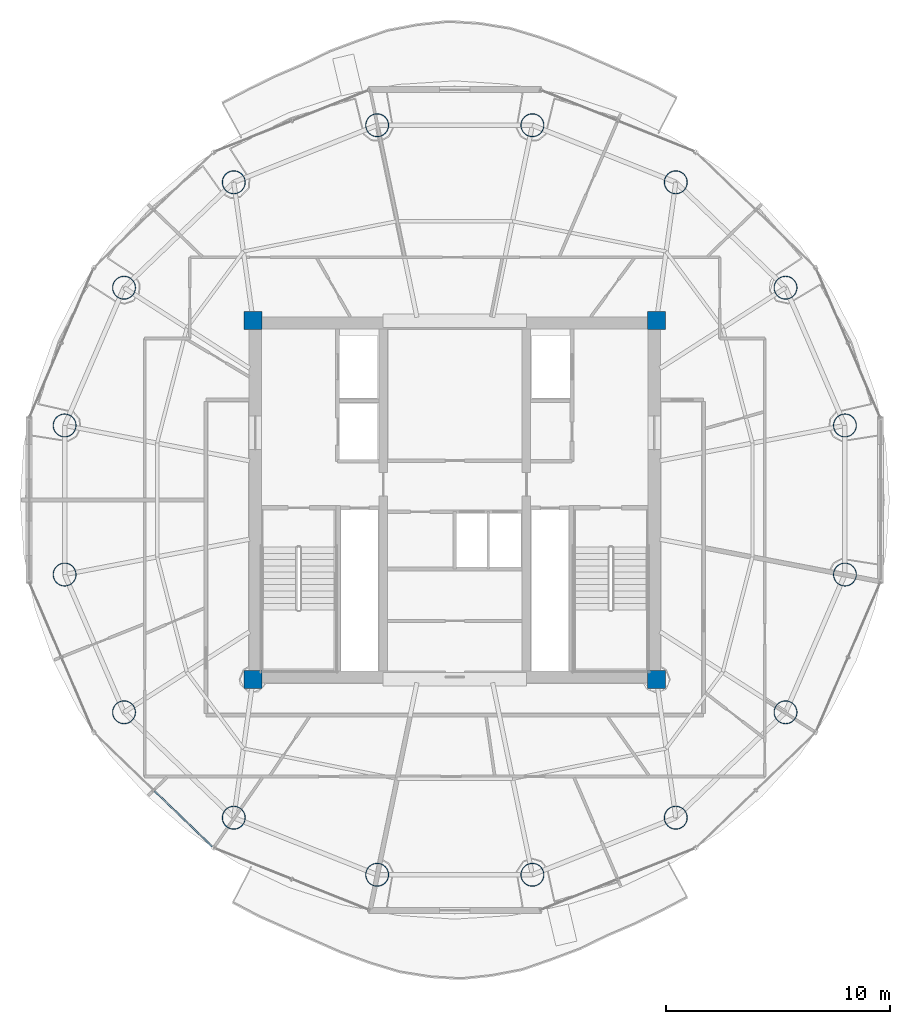
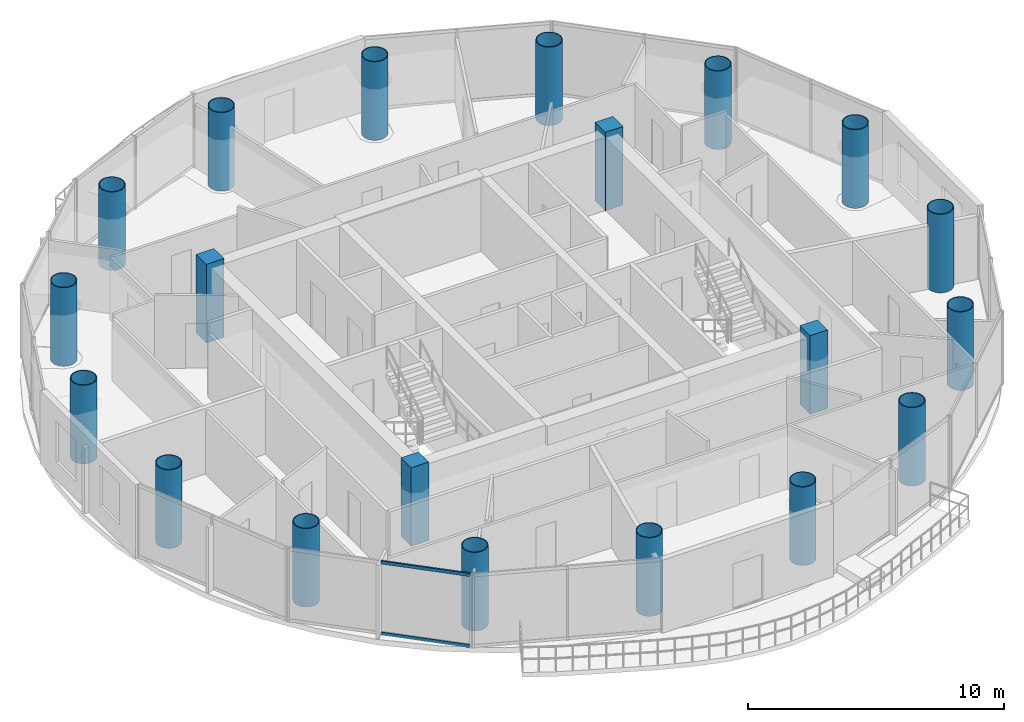
# One storey, part 1 of 23: 20 columns, 2 members, 1 element without a shape of its own.
"""IFC4 building model written with IfcOpenShell, lengths in metres."""

from ifc_helpers import new_model, si_unit, direction, frame, origin, origin_2d, place, context, subcontext, project, spatial, rectangle, hollow_rectangle, hollow_circle, extrude, source, transform, mapped, material, material_profile, profile_set, type_object, element, aggregate, save


model = new_model("IFC4")

# Units and contexts
model_context = context("Model", 3, precision=1e-05, world=origin(), true_north=direction((-0.2419218956, 0.970295726276)))
body_context = subcontext(model_context, "Body", "Model", "MODEL_VIEW")
ifc_project = project(units=[si_unit("LENGTHUNIT", "METRE"), si_unit("AREAUNIT", "SQUARE_METRE"), si_unit("VOLUMEUNIT", "CUBIC_METRE"), si_unit("PLANEANGLEUNIT", "RADIAN"), si_unit("MASSUNIT", "GRAM", prefix="KILO")], contexts=[model_context])

# Site, building, storey
site_placement = place(None, origin())
site = spatial("IfcSite", under=ifc_project, at=site_placement, CompositionType="ELEMENT")
building_placement = place(site_placement, origin())
building = spatial("IfcBuilding", under=site, at=building_placement, Name="Cobrevalo Terracotta Tower", CompositionType="ELEMENT")
storey_placement = place(building_placement, frame((0.0, 0.0, 263.199951171875)))
storey = spatial("IfcBuildingStorey", under=building, at=storey_placement, Name="L69", CompositionType="ELEMENT", Elevation=263.199951171875)

# Columns
ifc_material_1 = material(Name="Steel S355", Category="steel")
ifc_material_profile_1 = material_profile(ifc_material_1, hollow_circle(Radius=0.52490234375, WallThickness=0.034912109375, at=origin_2d()), Name="CHS 1050x35")
ifc_profile_set_1 = profile_set([ifc_material_profile_1], Name="Steel S355")
column_type_1 = type_object("IfcColumnType", Name="Structural Column CHS 1050x35 (Steel S355)", PredefinedType="COLUMN", material=ifc_profile_set_1)
for number, where, z_axis, x_axis, name in (
    (1, (55.408935546875, 30.126220703125, 0.0), (0.0, 0.0, 1.0), (1.0, 0.0, 0.0), "L69 composite megacolumn MC01"),
    (2, (52.758544921875, 36.2724609375, 0.0), (0.0, 0.0, 1.0), (1.0, 0.0, 0.0), "L69 composite megacolumn MC02"),
    (3, (47.861328125, 40.9765625, 0.0), (0.0, 0.0, 1.0), (1.0, 0.0, 0.0), "L69 composite megacolumn MC03"),
    (4, (41.462890625, 43.5224609375, 0.0), (0.0, 0.0, 1.0), (1.0, 0.0, 0.0), "L69 composite megacolumn MC04"),
    (5, (34.537109375, 43.5224609375, 0.0), (0.0, 0.0, 1.0), (1.0, 0.0, 0.0), "L69 composite megacolumn MC05"),
    (6, (28.138671875, 40.9765625, 0.0), (0.0, 0.0, 1.0), (1.0, 0.0, 0.0), "L69 composite megacolumn MC06"),
    (7, (23.241455078125, 36.2724609375, 0.0), (0.0, 0.0, 1.0), (1.0, 0.0, 0.0), "L69 composite megacolumn MC07"),
    (8, (20.591064453125, 30.126220703125, 0.0), (0.0, 0.0, 1.0), (1.0, 0.0, 0.0), "L69 composite megacolumn MC08"),
    (9, (20.591064453125, 23.4736328125, 0.0), (0.0, 0.0, 1.0), (1.0, 0.0, 0.0), "L69 composite megacolumn MC09"),
    (10, (23.241455078125, 17.32763671875, 0.0), (0.0, 0.0, 1.0), (1.0, 0.0, 0.0), "L69 composite megacolumn MC10"),
    (11, (28.138671875, 12.62353515625, 0.0), (0.0, 0.0, 1.0), (1.0, 0.0, 0.0), "L69 composite megacolumn MC11"),
    (12, (34.537109375, 10.07763671875, 0.0), (0.0, 0.0, 1.0), (1.0, 0.0, 0.0), "L69 composite megacolumn MC12"),
    (13, (41.462890625, 10.07763671875, 0.0), (0.0, 0.0, 1.0), (1.0, 0.0, 0.0), "L69 composite megacolumn MC13"),
    (14, (47.861328125, 12.62353515625, 0.0), (0.0, 0.0, 1.0), (1.0, 0.0, 0.0), "L69 composite megacolumn MC14"),
    (15, (52.758544921875, 17.32763671875, 0.0), (0.0, 0.0, 1.0), (1.0, 0.0, 0.0), "L69 composite megacolumn MC15"),
    (16, (55.408935546875, 23.4736328125, 0.0), (0.0, 0.0, 1.0), (1.0, 0.0, 0.0), "L69 composite megacolumn MC16"),
):
    element("IfcColumn", number, at=place(storey_placement, frame(where, z_axis=z_axis, x_axis=x_axis)), inside=storey, type_object=column_type_1, Name=name, PredefinedType="COLUMN", context=body_context, shape_type="SweptSolid", body=[
        extrude(hollow_circle(Radius=0.52490234375, WallThickness=0.034912109375, at=origin_2d()), origin(), (0.0, 0.0, 1.0), 3.75),
    ])
ifc_material_2 = material(Name="Concrete C50", Category="concrete")
ifc_material_profile_2 = material_profile(ifc_material_2, rectangle(XDim=0.800048828125, YDim=0.800048828125, at=origin_2d()), Name="RC COL 800x800")
ifc_profile_set_2 = profile_set([ifc_material_profile_2], Name="Concrete C50")
column_type_2 = type_object("IfcColumnType", Name="Structural Column RC COL 800x800 (Concrete C50)", PredefinedType="COLUMN", material=ifc_profile_set_2)
for number, where, z_axis, x_axis, name in (
    (17, (29.0, 18.800048828125, 0.0), (0.0, 0.0, 1.0), (1.0, 0.0, 0.0), "L69 core corner column CC1"),
    (18, (47.0, 18.800048828125, 0.0), (0.0, 0.0, 1.0), (1.0, 0.0, 0.0), "L69 core corner column CC2"),
    (19, (47.0, 34.800048828125, 0.0), (0.0, 0.0, 1.0), (1.0, 0.0, 0.0), "L69 core corner column CC3"),
    (20, (29.0, 34.800048828125, 0.0), (0.0, 0.0, 1.0), (1.0, 0.0, 0.0), "L69 core corner column CC4"),
):
    element("IfcColumn", number, at=place(storey_placement, frame(where, z_axis=z_axis, x_axis=x_axis)), inside=storey, type_object=column_type_2, Name=name, PredefinedType="COLUMN", context=body_context, shape_type="SweptSolid", body=[
        extrude(rectangle(XDim=0.800048828125, YDim=0.800048828125, at=origin_2d()), origin(), (0.0, 0.0, 1.0), 3.75),
    ])

# Curtain wall, members
ifc_material_3 = material(Name="Anodized aluminium", Category="aluminium")
curtain_wall_type = type_object("IfcCurtainWallType", Name="Upper-tower triple-glazed penthouse curtain wall CW-U3", PredefinedType="NOTDEFINED", material=ifc_material_3)
curtain_wall_placement = place(storey_placement, origin())
curtain_wall = element("IfcCurtainWall", 21, at=curtain_wall_placement, inside=storey, type_object=curtain_wall_type, Name="L69 curtain wall CW-L69-S10", PredefinedType="NOTDEFINED")
ifc_material_profile_3 = material_profile(ifc_material_3, hollow_rectangle(XDim=0.074951171875, YDim=0.14990234375, WallThickness=0.00439453125, at=origin_2d()), Name="CWT 75x150")
ifc_profile_set_3 = profile_set([ifc_material_profile_3], Name="Anodized aluminium")
member_type = type_object("IfcMemberType", Name="Tower unitised aluminium transom 75x150", PredefinedType="USERDEFINED", material=ifc_profile_set_3)
shared_shape = source(origin(), body_context, "Body", "SweptSolid", [
    extrude(hollow_rectangle(XDim=0.074951171875, YDim=0.14990234375, WallThickness=0.00439453125, at=origin_2d()), origin(), (0.0, 0.0, 1.0), 3.59130859375),
])
member_1_placement = place(storey_placement, frame((24.59521484375, 13.82421875, 0.050048828125), z_axis=(0.720005628362, -0.693968223427, 0.0), x_axis=(0.693968223427, 0.720005628362, 0.0)))
member_1 = element("IfcMember", 22, at=member_1_placement, type_object=member_type, Name="CW-L69-S10 transom B02-T1", ObjectType="TRANSOM", PredefinedType="USERDEFINED", context=body_context, shape_type="MappedRepresentation", body=[
    mapped(shared_shape, transform((0.0, 0.0, 0.0), scale=1.0)),
])
member_2_placement = place(storey_placement, frame((24.59521484375, 13.82421875, 3.43994140625), z_axis=(0.720005628362, -0.693968223427, 0.0), x_axis=(0.693968223427, 0.720005628362, 0.0)))
member_2 = element("IfcMember", 23, at=member_2_placement, type_object=member_type, Name="CW-L69-S10 transom B02-T2", ObjectType="TRANSOM", PredefinedType="USERDEFINED", context=body_context, shape_type="MappedRepresentation", body=[
    mapped(shared_shape, transform((0.0, 0.0, 0.0), scale=1.0)),
])
aggregate(curtain_wall, [member_1, member_2])

save(model, "model.ifc")
